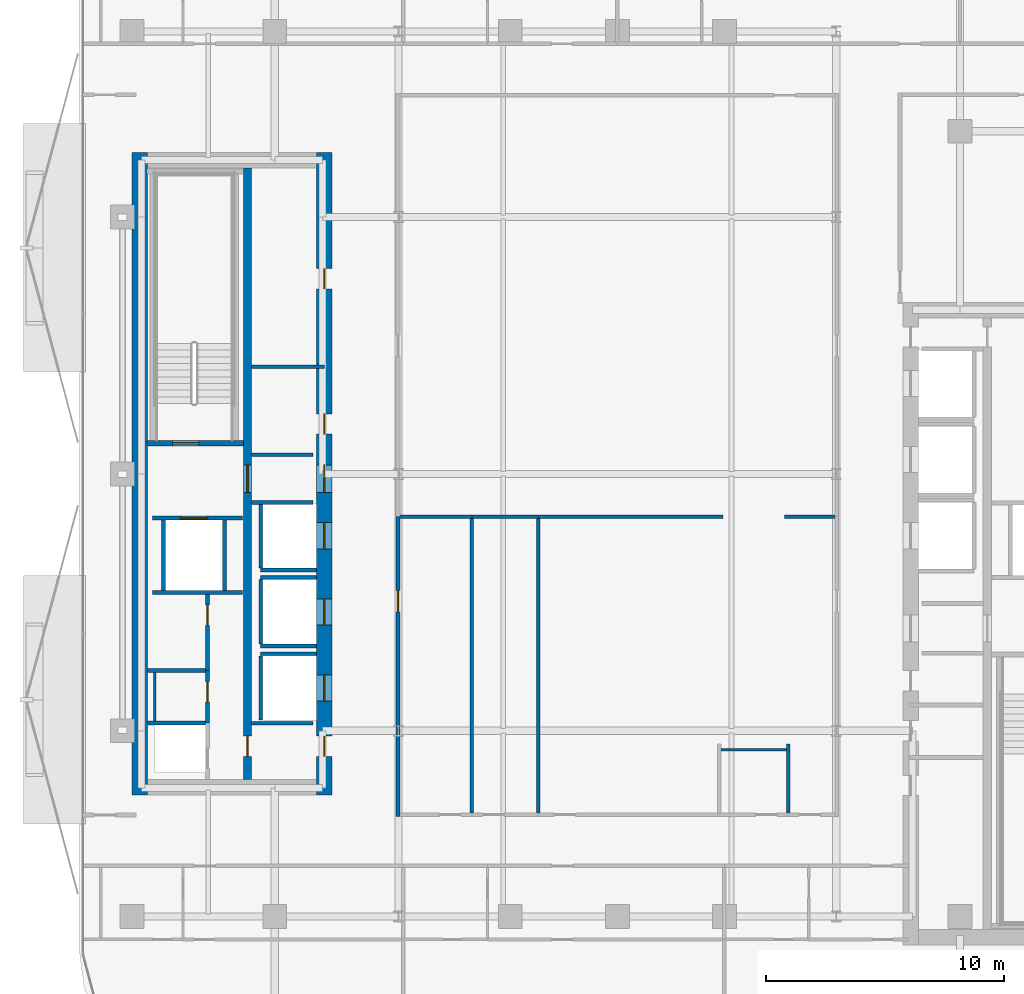
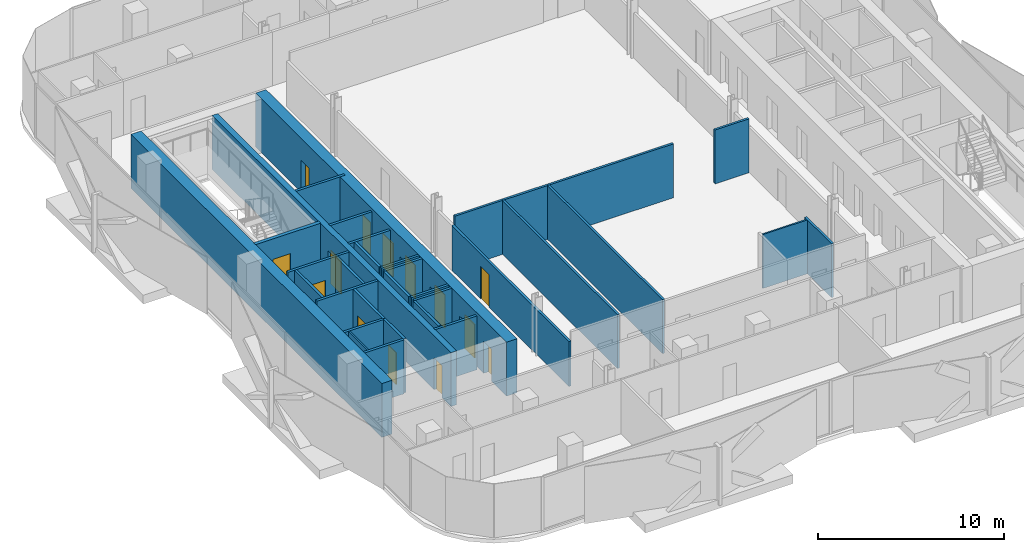
# One storey, part 4 of 17: 33 walls, 14 doors, 14 openings.
"""IFC4 building model written with IfcOpenShell, lengths in metres."""

from ifc_helpers import new_model, si_unit, direction, frame, frame_2d, origin, place, context, subcontext, project, spatial, rectangle, extrude, material, layer, layer_set, type_object, element, fill, save


model = new_model("IFC4")

# Units and contexts
model_context = context("Model", 3, precision=1e-05, world=origin(), true_north=direction((0.0, 1.0)))
body_context = subcontext(model_context, "Body", "Model", "MODEL_VIEW")
ifc_project = project(units=[si_unit("LENGTHUNIT", "METRE"), si_unit("AREAUNIT", "SQUARE_METRE"), si_unit("VOLUMEUNIT", "CUBIC_METRE"), si_unit("PLANEANGLEUNIT", "RADIAN"), si_unit("MASSUNIT", "GRAM", prefix="KILO")], contexts=[model_context])

# Site, building, storey
site_placement = place(None, origin())
site = spatial("IfcSite", under=ifc_project, at=site_placement, CompositionType="ELEMENT")
building_placement = place(site_placement, origin())
building = spatial("IfcBuilding", under=site, at=building_placement, Name="Khairoan Windgate Tower", CompositionType="ELEMENT")
storey_placement = place(building_placement, frame((0.0, 0.0, 199.199951171875)))
storey = spatial("IfcBuildingStorey", under=building, at=storey_placement, Name="L46", CompositionType="ELEMENT", Elevation=199.199951171875)

# Walls
ifc_material_1 = material(Name="Moisture-Resistant Gypsum Partition", Category="gypsum")
ifc_layer_1 = layer(ifc_material_1, 0.10009765625, Name="Moisture-Resistant Gypsum Partition")
ifc_layer_set_1 = layer_set([ifc_layer_1], Name="Moisture-Resistant Gypsum Partition")
wall_type_1 = type_object("IfcWallType", Name="Bathroom Wet-Area Partition Wall", PredefinedType="PARTITIONING", material=ifc_layer_set_1)
wall_1_placement = place(storey_placement, frame((-19.449951171875, -10.389892578125, 0.0), z_axis=(0.0, 0.0, 1.0), x_axis=(0.0, 1.0, 0.0)))
element("IfcWall", 1, at=wall_1_placement, inside=storey, type_object=wall_type_1, Name="L46 Wet Room Side Wall 082", PredefinedType="PARTITIONING", context=body_context, shape_type="SweptSolid", body=[
    extrude(rectangle(XDim=2.039794921875, YDim=0.10009765625, at=frame_2d((1.02001953125, 0.0))), origin(), (0.0, 0.0, 1.0), 3.5400390625),
])
wall_2_placement = place(storey_placement, frame((4.35009765625, -11.60009765625, 0.0), z_axis=(0.0, 0.0, 1.0), x_axis=(1.0, 0.0, 0.0)))
element("IfcWall", 2, at=wall_2_placement, inside=storey, type_object=wall_type_1, Name="L46 Wet Room Side Wall 084", PredefinedType="PARTITIONING", context=body_context, shape_type="SweptSolid", body=[
    extrude(rectangle(XDim=2.760009765625, YDim=0.10009765625, at=frame_2d((1.3798828125, 0.0))), origin(), (0.0, 0.0, 1.0), 3.5400390625),
])
ifc_material_2 = material(Name="Concrete C40/50", Category="concrete")
ifc_layer_2 = layer(ifc_material_2, 0.159912109375, Name="Concrete C40/50")
ifc_layer_set_2 = layer_set([ifc_layer_2], Name="Concrete C40/50")
wall_type_2 = type_object("IfcWallType", Name="Core and Hoistway Enclosure Wall", PredefinedType="STANDARD", material=ifc_layer_set_2)
wall_3_placement = place(storey_placement, frame((-14.989990234375, -4.0400390625, 0.0), z_axis=(0.0, 0.0, 1.0), x_axis=(1.0, 0.0, 0.0)))
element("IfcWall", 3, at=wall_3_placement, inside=storey, type_object=wall_type_2, Name="L46 Lift PL4 Hoistway Divider S", PredefinedType="STANDARD", context=body_context, shape_type="SweptSolid", body=[
    extrude(rectangle(XDim=2.340087890625, YDim=0.159912109375, at=frame_2d((1.169921875, 0.0))), origin(), (0.0, 0.0, 1.0), 3.5400390625),
])
wall_4_placement = place(storey_placement, frame((-14.989990234375, -3.949951171875, 0.0), z_axis=(0.0, 0.0, 1.0), x_axis=(0.0, 1.0, 0.0)))
element("IfcWall", 4, at=wall_4_placement, inside=storey, type_object=wall_type_2, Name="L46 Lift PL4 Hoistway Back Wall", PredefinedType="STANDARD", context=body_context, shape_type="SweptSolid", body=[
    extrude(rectangle(XDim=2.699951171875, YDim=0.159912109375, at=frame_2d((1.35009765625, 0.0))), origin(), (0.0, 0.0, 1.0), 3.5400390625),
])
for number, where, z_axis, x_axis, name in (
    (5, (-14.989990234375, -7.239990234375, 0.0), (0.0, 0.0, 1.0), (1.0, 0.0, 0.0), "L46 Lift PL5 Hoistway Divider S"),
    (6, (-14.989990234375, -4.360107421875, 0.0), (0.0, 0.0, 1.0), (1.0, 0.0, 0.0), "L46 Lift PL5 Hoistway Divider N"),
):
    element("IfcWall", number, at=place(storey_placement, frame(where, z_axis=z_axis, x_axis=x_axis)), inside=storey, type_object=wall_type_2, Name=name, PredefinedType="STANDARD", context=body_context, shape_type="SweptSolid", body=[
        extrude(rectangle(XDim=2.340087890625, YDim=0.159912109375, at=frame_2d((1.169921875, 0.0))), origin(), (0.0, 0.0, 1.0), 3.5400390625),
    ])
wall_5_placement = place(storey_placement, frame((-14.989990234375, -7.14990234375, 0.0), z_axis=(0.0, 0.0, 1.0), x_axis=(0.0, 1.0, 0.0)))
element("IfcWall", 7, at=wall_5_placement, inside=storey, type_object=wall_type_2, Name="L46 Lift PL5 Hoistway Back Wall", PredefinedType="STANDARD", context=body_context, shape_type="SweptSolid", body=[
    extrude(rectangle(XDim=2.699951171875, YDim=0.159912109375, at=frame_2d((1.35009765625, 0.0))), origin(), (0.0, 0.0, 1.0), 3.5400390625),
])
wall_6_placement = place(storey_placement, frame((-14.989990234375, -7.56005859375, 0.0), z_axis=(0.0, 0.0, 1.0), x_axis=(1.0, 0.0, 0.0)))
element("IfcWall", 8, at=wall_6_placement, inside=storey, type_object=wall_type_2, Name="L46 Lift PL6 Hoistway Divider N", PredefinedType="STANDARD", context=body_context, shape_type="SweptSolid", body=[
    extrude(rectangle(XDim=2.340087890625, YDim=0.159912109375, at=frame_2d((1.169921875, 0.0))), origin(), (0.0, 0.0, 1.0), 3.5400390625),
])
wall_7_placement = place(storey_placement, frame((-14.989990234375, -10.35009765625, 0.0), z_axis=(0.0, 0.0, 1.0), x_axis=(0.0, 1.0, 0.0)))
element("IfcWall", 9, at=wall_7_placement, inside=storey, type_object=wall_type_2, Name="L46 Lift PL6 Hoistway Back Wall", PredefinedType="STANDARD", context=body_context, shape_type="SweptSolid", body=[
    extrude(rectangle(XDim=2.7001953125, YDim=0.159912109375, at=frame_2d((1.35009765625, 0.0))), origin(), (0.0, 0.0, 1.0), 3.5400390625),
])

# Wall, opening, door
wall_8_placement = place(storey_placement, frame((-19.550048828125, -1.860107421875, 0.0), z_axis=(0.0, 0.0, 1.0), x_axis=(1.0, 0.0, 0.0)))
wall_8 = element("IfcWall", 10, at=wall_8_placement, inside=storey, type_object=wall_type_2, Name="L46 Core Shaft Wall SW-FL2-L46", PredefinedType="STANDARD", context=body_context, shape_type="SweptSolid", body=[
    extrude(rectangle(XDim=3.800048828125, YDim=0.159912109375, at=frame_2d((1.89990234375, 0.0))), origin(), (0.0, 0.0, 1.0), 3.5400390625),
])
opening_1_placement = place(wall_8_placement, frame((1.179931640625, 0.0, 0.0)))
opening_1 = element("IfcOpeningElement", 11, at=opening_1_placement, cuts=wall_8, Name="Opening LD-FL", PredefinedType="OPENING", context=body_context, shape_type="SweptSolid", body=[
    extrude(rectangle(XDim=1.14990234375, YDim=2.199951171875, at=frame_2d((0.574951171875, 1.10009765625))), frame((0.0, 0.08984375, 0.0), z_axis=(0.0, -1.0, 0.0), x_axis=(1.0, 0.0, 0.0)), (0.0, 0.0, 1.0), 0.179931640625),
])
ifc_material_3 = material(Name="Steel S355", Category="steel")
door_type_1 = type_object("IfcDoorType", Name="Firefighting Lift Sliding Landing Door LD-FL 1150x2200", OperationType="DOUBLE_DOOR_SLIDING", PredefinedType="DOOR", material=ifc_material_3)
door_1_placement = place(opening_1_placement, origin())
door_1 = element("IfcDoor", 12, at=door_1_placement, inside=storey, type_object=door_type_1, Name="L46 Firefighting Lift FL2 Landing Door", OperationType="DOUBLE_DOOR_SLIDING", OverallHeight=2.199951171875, OverallWidth=1.14990234375, PredefinedType="DOOR", context=body_context, shape_type="SweptSolid", body=[
    extrude(rectangle(XDim=1.14990234375, YDim=2.199951171875, at=frame_2d((0.574951171875, 1.10009765625))), frame((0.0, 0.02490234375, 0.0), z_axis=(0.0, -1.0, 0.0), x_axis=(1.0, 0.0, 0.0)), (0.0, 0.0, 1.0), 0.050048828125),
])
fill(opening_1, door_1)

# Walls
wall_9_placement = place(storey_placement, frame((-19.550048828125, -4.97998046875, 0.0), z_axis=(0.0, 0.0, 1.0), x_axis=(1.0, 0.0, 0.0)))
element("IfcWall", 13, at=wall_9_placement, inside=storey, type_object=wall_type_2, Name="L46 Core Shaft Wall SW-FL2B-L46", PredefinedType="STANDARD", context=body_context, shape_type="SweptSolid", body=[
    extrude(rectangle(XDim=3.800048828125, YDim=0.159912109375, at=frame_2d((1.89990234375, 0.0))), origin(), (0.0, 0.0, 1.0), 3.5400390625),
])
for number, where, z_axis, x_axis, name in (
    (14, (-19.080078125, -4.89990234375, 0.0), (0.0, 0.0, 1.0), (0.0, 1.0, 0.0), "L46 Core Shaft Wall SW-FL2W-L46"),
    (15, (-16.52001953125, -4.89990234375, 0.0), (0.0, 0.0, 1.0), (0.0, 1.0, 0.0), "L46 Core Shaft Wall SW-FL2E-L46"),
):
    element("IfcWall", number, at=place(storey_placement, frame(where, z_axis=z_axis, x_axis=x_axis)), inside=storey, type_object=wall_type_2, Name=name, PredefinedType="STANDARD", context=body_context, shape_type="SweptSolid", body=[
        extrude(rectangle(XDim=2.9599609375, YDim=0.159912109375, at=frame_2d((1.47998046875, 0.0))), origin(), (0.0, 0.0, 1.0), 3.5400390625),
    ])
for number, where, z_axis, x_axis, name in (
    (16, (-15.39990234375, 0.800048828125, 0.0), (0.0, 0.0, 1.0), (1.0, 0.0, 0.0), "L46 Core Shaft Wall SW-WV1-L46"),
    (17, (-15.39990234375, -1.199951171875, 0.0), (0.0, 0.0, 1.0), (1.0, 0.0, 0.0), "L46 Core Shaft Wall SW-WV2-L46"),
    (18, (-15.39990234375, -10.47998046875, 0.0), (0.0, 0.0, 1.0), (1.0, 0.0, 0.0), "L46 Core Shaft Wall SW-WSV-L46"),
):
    element("IfcWall", number, at=place(storey_placement, frame(where, z_axis=z_axis, x_axis=x_axis)), inside=storey, type_object=wall_type_2, Name=name, PredefinedType="STANDARD", context=body_context, shape_type="SweptSolid", body=[
        extrude(rectangle(XDim=2.599853515625, YDim=0.159912109375, at=frame_2d((1.2998046875, 0.0))), origin(), (0.0, 0.0, 1.0), 3.5400390625),
    ])
ifc_material_4 = material(Name="Acoustic Fire-Rated Gypsum Partition", Category="gypsum")
ifc_layer_3 = layer(ifc_material_4, 0.139892578125, Name="Acoustic Fire-Rated Gypsum Partition")
ifc_layer_set_3 = layer_set([ifc_layer_3], Name="Acoustic Fire-Rated Gypsum Partition")
wall_type_3 = type_object("IfcWallType", Name="Inter-Tenancy Compartment Wall", PredefinedType="PARTITIONING", material=ifc_layer_set_3)
wall_10_placement = place(storey_placement, frame((-6.1201171875, -14.2451171875, 0.0), z_axis=(0.0, 0.0, 1.0), x_axis=(0.0, 1.0, 0.0)))
element("IfcWall", 19, at=wall_10_placement, inside=storey, type_object=wall_type_3, Name="L46 Interior Partition 042", PredefinedType="PARTITIONING", context=body_context, shape_type="SweptSolid", body=[
    extrude(rectangle(XDim=12.375, YDim=0.139892578125, at=frame_2d((6.1875, 0.0))), origin(), (0.0, 0.0, 1.0), 3.5400390625),
])
wall_11_placement = place(storey_placement, frame((-9.14501953125, -1.800048828125, 0.0), z_axis=(0.0, 0.0, 1.0), x_axis=(1.0, 0.0, 0.0)))
element("IfcWall", 20, at=wall_11_placement, inside=storey, type_object=wall_type_3, Name="L46 Interior Partition 043", PredefinedType="PARTITIONING", context=body_context, shape_type="SweptSolid", body=[
    extrude(rectangle(XDim=3.02490234375, YDim=0.139892578125, at=frame_2d((1.512451171875, 0.0))), origin(), (0.0, 0.0, 1.0), 3.5400390625),
])
wall_12_placement = place(storey_placement, frame((-3.320068359375, -14.2451171875, 0.0), z_axis=(0.0, 0.0, 1.0), x_axis=(0.0, 1.0, 0.0)))
element("IfcWall", 21, at=wall_12_placement, inside=storey, type_object=wall_type_3, Name="L46 Interior Partition 044", PredefinedType="PARTITIONING", context=body_context, shape_type="SweptSolid", body=[
    extrude(rectangle(XDim=12.375, YDim=0.139892578125, at=frame_2d((6.1875, 0.0))), origin(), (0.0, 0.0, 1.0), 3.5400390625),
])
wall_13_placement = place(storey_placement, frame((-6.1201171875, -1.800048828125, 0.0), z_axis=(0.0, 0.0, 1.0), x_axis=(1.0, 0.0, 0.0)))
element("IfcWall", 22, at=wall_13_placement, inside=storey, type_object=wall_type_3, Name="L46 Interior Partition 045", PredefinedType="PARTITIONING", context=body_context, shape_type="SweptSolid", body=[
    extrude(rectangle(XDim=2.800048828125, YDim=0.139892578125, at=frame_2d((1.39990234375, 0.0))), origin(), (0.0, 0.0, 1.0), 3.5400390625),
])
wall_14_placement = place(storey_placement, frame((-3.320068359375, -1.800048828125, 0.0), z_axis=(0.0, 0.0, 1.0), x_axis=(1.0, 0.0, 0.0)))
element("IfcWall", 23, at=wall_14_placement, inside=storey, type_object=wall_type_3, Name="L46 Interior Partition 047", PredefinedType="PARTITIONING", context=body_context, shape_type="SweptSolid", body=[
    extrude(rectangle(XDim=7.760009765625, YDim=0.139892578125, at=frame_2d((3.8798828125, 0.0))), origin(), (0.0, 0.0, 1.0), 3.5400390625),
])
wall_15_placement = place(storey_placement, frame((7.179931640625, -14.2451171875, 0.0), z_axis=(0.0, 0.0, 1.0), x_axis=(0.0, 1.0, 0.0)))
element("IfcWall", 24, at=wall_15_placement, inside=storey, type_object=wall_type_3, Name="L46 Interior Partition 048", PredefinedType="PARTITIONING", context=body_context, shape_type="SweptSolid", body=[
    extrude(rectangle(XDim=2.885009765625, YDim=0.139892578125, at=frame_2d((1.4423828125, 0.0))), origin(), (0.0, 0.0, 1.0), 3.5400390625),
])
wall_16_placement = place(storey_placement, frame((7.02001953125, -1.800048828125, 0.0), z_axis=(0.0, 0.0, 1.0), x_axis=(1.0, 0.0, 0.0)))
element("IfcWall", 25, at=wall_16_placement, inside=storey, type_object=wall_type_3, Name="L46 Interior Partition 049", PredefinedType="PARTITIONING", context=body_context, shape_type="SweptSolid", body=[
    extrude(rectangle(XDim=2.125, YDim=0.139892578125, at=frame_2d((1.0625, 0.0))), origin(), (0.0, 0.0, 1.0), 3.5400390625),
])

# Wall, opening, door
ifc_material_5 = material(Name="Concrete C40/50", Category="concrete")
ifc_layer_4 = layer(ifc_material_5, 0.159912109375, Name="Concrete C40/50")
ifc_layer_set_4 = layer_set([ifc_layer_4], Name="Concrete C40/50")
wall_type_4 = type_object("IfcWallType", Name="Plant and Refuge Compartment Wall", PredefinedType="PARTITIONING", material=ifc_layer_set_4)
wall_17_placement = place(storey_placement, frame((-17.22998046875, -10.469970703125, 0.0), z_axis=(0.0, 0.0, 1.0), x_axis=(0.0, 1.0, 0.0)))
wall_17 = element("IfcWall", 26, at=wall_17_placement, inside=storey, type_object=wall_type_4, Name="L46 Interior Partition 002", PredefinedType="PARTITIONING", context=body_context, shape_type="SweptSolid", body=[
    extrude(rectangle(XDim=2.199951171875, YDim=0.159912109375, at=frame_2d((1.10009765625, 0.0))), origin(), (0.0, 0.0, 1.0), 3.5400390625),
])
opening_2_placement = place(wall_17_placement, frame((0.889892578125, 0.0, 0.0)))
opening_2 = element("IfcOpeningElement", 27, at=opening_2_placement, cuts=wall_17, Name="Opening FD-SRV", PredefinedType="OPENING", context=body_context, shape_type="SweptSolid", body=[
    extrude(rectangle(XDim=0.85009765625, YDim=2.10009765625, at=frame_2d((0.425048828125, 1.050048828125))), frame((0.0, 0.08984375, 0.0), z_axis=(0.0, -1.0, 0.0), x_axis=(1.0, 0.0, 0.0)), (0.0, 0.0, 1.0), 0.179931640625),
])
ifc_material_6 = material(Name="Steel S355", Category="steel")
door_type_2 = type_object("IfcDoorType", Name="Core Service and Riser Fire Door FD-SRV 850x2100", OperationType="NOTDEFINED", PredefinedType="DOOR", material=ifc_material_6)
door_2_placement = place(opening_2_placement, origin())
door_2 = element("IfcDoor", 28, at=door_2_placement, inside=storey, type_object=door_type_2, Name="L46 L46-04-L46-06 Door", OperationType="SINGLE_SWING_LEFT", OverallHeight=2.10009765625, OverallWidth=0.85009765625, PredefinedType="DOOR", context=body_context, shape_type="SweptSolid", body=[
    extrude(rectangle(XDim=0.85009765625, YDim=2.10009765625, at=frame_2d((0.425048828125, 1.050048828125))), frame((0.0, 0.02490234375, 0.0), z_axis=(0.0, -1.0, 0.0), x_axis=(1.0, 0.0, 0.0)), (0.0, 0.0, 1.0), 0.050048828125),
])
fill(opening_2, door_2)

wall_18_placement = place(storey_placement, frame((-17.22998046875, -8.27001953125, 0.0), z_axis=(0.0, 0.0, 1.0), x_axis=(0.0, 1.0, 0.0)))
wall_18 = element("IfcWall", 29, at=wall_18_placement, inside=storey, type_object=wall_type_4, Name="L46 Interior Partition 003", PredefinedType="PARTITIONING", context=body_context, shape_type="SweptSolid", body=[
    extrude(rectangle(XDim=3.2099609375, YDim=0.159912109375, at=frame_2d((1.60498046875, 0.0))), origin(), (0.0, 0.0, 1.0), 3.5400390625),
])
opening_3_placement = place(wall_18_placement, frame((1.89990234375, 0.0, 0.0)))
opening_3 = element("IfcOpeningElement", 30, at=opening_3_placement, cuts=wall_18, Name="Opening FD-SRV", PredefinedType="OPENING", context=body_context, shape_type="SweptSolid", body=[
    extrude(rectangle(XDim=0.85009765625, YDim=2.10009765625, at=frame_2d((0.425048828125, 1.050048828125))), frame((0.0, 0.08984375, 0.0), z_axis=(0.0, -1.0, 0.0), x_axis=(1.0, 0.0, 0.0)), (0.0, 0.0, 1.0), 0.179931640625),
])
door_3_placement = place(opening_3_placement, origin())
door_3 = element("IfcDoor", 31, at=door_3_placement, inside=storey, type_object=door_type_2, Name="L46 L46-04-L46-07 Door", OperationType="SINGLE_SWING_RIGHT", OverallHeight=2.10009765625, OverallWidth=0.85009765625, PredefinedType="DOOR", context=body_context, shape_type="SweptSolid", body=[
    extrude(rectangle(XDim=0.85009765625, YDim=2.10009765625, at=frame_2d((0.425048828125, 1.050048828125))), frame((0.0, 0.02490234375, 0.0), z_axis=(0.0, -1.0, 0.0), x_axis=(1.0, 0.0, 0.0)), (0.0, 0.0, 1.0), 0.050048828125),
])
fill(opening_3, door_3)

# Walls
for number, where, z_axis, x_axis, name in (
    (32, (-19.75, -10.469970703125, 0.0), (0.0, 0.0, 1.0), (1.0, 0.0, 0.0), "L46 Interior Partition 004"),
    (33, (-19.75, -8.27001953125, 0.0), (0.0, 0.0, 1.0), (1.0, 0.0, 0.0), "L46 Interior Partition 005"),
):
    element("IfcWall", number, at=place(storey_placement, frame(where, z_axis=z_axis, x_axis=x_axis)), inside=storey, type_object=wall_type_4, Name=name, PredefinedType="PARTITIONING", context=body_context, shape_type="SweptSolid", body=[
        extrude(rectangle(XDim=2.43994140625, YDim=0.159912109375, at=frame_2d((1.219970703125, 0.0))), origin(), (0.0, 0.0, 1.0), 3.5400390625),
    ])
wall_19_placement = place(storey_placement, frame((-15.375, 4.5, 0.0), z_axis=(0.0, 0.0, 1.0), x_axis=(1.0, 0.0, 0.0)))
element("IfcWall", 34, at=wall_19_placement, inside=storey, type_object=wall_type_4, Name="L46 Interior Partition 006", PredefinedType="PARTITIONING", context=body_context, shape_type="SweptSolid", body=[
    extrude(rectangle(XDim=3.06494140625, YDim=0.159912109375, at=frame_2d((1.532470703125, 0.0))), origin(), (0.0, 0.0, 1.0), 3.5400390625),
])

# Wall, opening, door
ifc_material_7 = material(Name="Acoustic Fire-Rated Gypsum Partition", Category="gypsum")
ifc_layer_5 = layer(ifc_material_7, 0.14990234375, Name="Acoustic Fire-Rated Gypsum Partition")
ifc_layer_set_5 = layer_set([ifc_layer_5], Name="Acoustic Fire-Rated Gypsum Partition")
wall_type_5 = type_object("IfcWallType", Name="Rated Corridor Partition Wall", PredefinedType="PARTITIONING", material=ifc_layer_set_5)
wall_20_placement = place(storey_placement, frame((-9.219970703125, -14.39501953125, 0.0), z_axis=(0.0, 0.0, 1.0), x_axis=(0.0, 1.0, 0.0)))
wall_20 = element("IfcWall", 35, at=wall_20_placement, inside=storey, type_object=wall_type_5, Name="L46 Interior Partition 014", PredefinedType="PARTITIONING", context=body_context, shape_type="SweptSolid", body=[
    extrude(rectangle(XDim=12.594970703125, YDim=0.14990234375, at=frame_2d((6.29736328125, 0.0))), origin(), (0.0, 0.0, 1.0), 2.9521484375),
])
opening_4_placement = place(wall_20_placement, frame((8.592041015625, 0.0, 0.0)))
opening_4 = element("IfcOpeningElement", 36, at=opening_4_placement, cuts=wall_20, Name="Opening FD-ENT", PredefinedType="OPENING", context=body_context, shape_type="SweptSolid", body=[
    extrude(rectangle(XDim=0.89990234375, YDim=2.14990234375, at=frame_2d((0.449951171875, 1.074951171875))), frame((0.0, 0.0849609375, 0.0), z_axis=(0.0, -1.0, 0.0), x_axis=(1.0, 0.0, 0.0)), (0.0, 0.0, 1.0), 0.169921875),
])
ifc_material_8 = material(Name="Timber Fire-Rated Core", Category="wood")
door_type_3 = type_object("IfcDoorType", Name="Unit and Office Fire Entrance Door FD-ENT 900x2150", OperationType="NOTDEFINED", PredefinedType="DOOR", material=ifc_material_8)
door_4_placement = place(opening_4_placement, origin())
door_4 = element("IfcDoor", 37, at=door_4_placement, inside=storey, type_object=door_type_3, Name="L46 L46-30-L46-34 Door", OperationType="SINGLE_SWING_RIGHT", OverallHeight=2.14990234375, OverallWidth=0.89990234375, PredefinedType="DOOR", context=body_context, shape_type="SweptSolid", body=[
    extrude(rectangle(XDim=0.89990234375, YDim=2.14990234375, at=frame_2d((0.449951171875, 1.074951171875))), frame((0.0, 0.02490234375, 0.0), z_axis=(0.0, -1.0, 0.0), x_axis=(1.0, 0.0, 0.0)), (0.0, 0.0, 1.0), 0.050048828125),
])
fill(opening_4, door_4)

# Wall
ifc_material_9 = material(Name="Concrete C60/75", Category="concrete")
ifc_layer_6 = layer(ifc_material_9, 0.64990234375, Name="Concrete C60/75")
ifc_layer_set_6 = layer_set([ifc_layer_6], Name="Concrete C60/75")
wall_type_6 = type_object("IfcWallType", Name="Shear Wall CW-W2 650mm", PredefinedType="SHEAR", material=ifc_layer_set_6)
wall_21_placement = place(storey_placement, frame((-20.074951171875, -13.5, 0.0), z_axis=(0.0, 0.0, 1.0), x_axis=(0.0, 1.0, 0.0)))
element("IfcWall", 38, at=wall_21_placement, inside=storey, type_object=wall_type_6, Name="W Core West Shear Wall L46", PredefinedType="SHEAR", context=body_context, shape_type="SweptSolid", body=[
    extrude(rectangle(XDim=27.0, YDim=0.64990234375, at=frame_2d((13.5, 0.0))), origin(), (0.0, 0.0, 1.0), 3.5400390625),
])

# Wall, openings, doors
wall_22_placement = place(storey_placement, frame((-12.324951171875, -13.5, 0.0), z_axis=(0.0, 0.0, 1.0), x_axis=(0.0, 1.0, 0.0)))
wall_22 = element("IfcWall", 39, at=wall_22_placement, inside=storey, type_object=wall_type_6, Name="W Core East Shear Wall L46", PredefinedType="SHEAR", context=body_context, shape_type="SweptSolid", body=[
    extrude(rectangle(XDim=27.0, YDim=0.64990234375, at=frame_2d((13.5, 0.0))), origin(), (0.0, 0.0, 1.0), 3.5400390625),
])
opening_5_placement = place(wall_22_placement, frame((10.35009765625, 0.0, 0.0)))
opening_5 = element("IfcOpeningElement", 40, at=opening_5_placement, cuts=wall_22, Name="Opening LD-PL", PredefinedType="OPENING", context=body_context, shape_type="SweptSolid", body=[
    extrude(rectangle(XDim=1.10009765625, YDim=2.199951171875, at=frame_2d((0.550048828125, 1.10009765625))), frame((0.0, 0.3349609375, 0.0), z_axis=(0.0, -1.0, 0.0), x_axis=(1.0, 0.0, 0.0)), (0.0, 0.0, 1.0), 0.669921875),
])
opening_6_placement = place(wall_22_placement, frame((7.14990234375, 0.0, 0.0)))
opening_6 = element("IfcOpeningElement", 41, at=opening_6_placement, cuts=wall_22, Name="Opening LD-PL", PredefinedType="OPENING", context=body_context, shape_type="SweptSolid", body=[
    extrude(rectangle(XDim=1.10009765625, YDim=2.199951171875, at=frame_2d((0.550048828125, 1.10009765625))), frame((0.0, 0.3349609375, 0.0), z_axis=(0.0, -1.0, 0.0), x_axis=(1.0, 0.0, 0.0)), (0.0, 0.0, 1.0), 0.669921875),
])
opening_7_placement = place(wall_22_placement, frame((3.949951171875, 0.0, 0.0)))
opening_7 = element("IfcOpeningElement", 42, at=opening_7_placement, cuts=wall_22, Name="Opening LD-PL", PredefinedType="OPENING", context=body_context, shape_type="SweptSolid", body=[
    extrude(rectangle(XDim=1.10009765625, YDim=2.199951171875, at=frame_2d((0.550048828125, 1.10009765625))), frame((0.0, 0.3349609375, 0.0), z_axis=(0.0, -1.0, 0.0), x_axis=(1.0, 0.0, 0.0)), (0.0, 0.0, 1.0), 0.669921875),
])
opening_8_placement = place(wall_22_placement, frame((15.175048828125, 0.0, 0.0)))
opening_8 = element("IfcOpeningElement", 43, at=opening_8_placement, cuts=wall_22, Name="Opening FD-SRV", PredefinedType="OPENING", context=body_context, shape_type="SweptSolid", body=[
    extrude(rectangle(XDim=0.85009765625, YDim=2.10009765625, at=frame_2d((0.425048828125, 1.050048828125))), frame((0.0, 0.3349609375, 0.0), z_axis=(0.0, -1.0, 0.0), x_axis=(1.0, 0.0, 0.0)), (0.0, 0.0, 1.0), 0.669921875),
])
opening_9_placement = place(wall_22_placement, frame((21.27490234375, 0.0, 0.0)))
opening_9 = element("IfcOpeningElement", 44, at=opening_9_placement, cuts=wall_22, Name="Opening FD-SRV", PredefinedType="OPENING", context=body_context, shape_type="SweptSolid", body=[
    extrude(rectangle(XDim=0.85009765625, YDim=2.10009765625, at=frame_2d((0.425048828125, 1.050048828125))), frame((0.0, 0.3349609375, 0.0), z_axis=(0.0, -1.0, 0.0), x_axis=(1.0, 0.0, 0.0)), (0.0, 0.0, 1.0), 0.669921875),
])
opening_10_placement = place(wall_22_placement, frame((12.72509765625, 0.0, 0.0)))
opening_10 = element("IfcOpeningElement", 45, at=opening_10_placement, cuts=wall_22, Name="Opening FD-FFL", PredefinedType="OPENING", context=body_context, shape_type="SweptSolid", body=[
    extrude(rectangle(XDim=1.14990234375, YDim=2.199951171875, at=frame_2d((0.574951171875, 1.10009765625))), frame((0.0, 0.3349609375, 0.0), z_axis=(0.0, -1.0, 0.0), x_axis=(1.0, 0.0, 0.0)), (0.0, 0.0, 1.0), 0.669921875),
])
opening_11_placement = place(wall_22_placement, frame((1.625, 0.0, 0.0)))
opening_11 = element("IfcOpeningElement", 46, at=opening_11_placement, cuts=wall_22, Name="Opening FD-SRV", PredefinedType="OPENING", context=body_context, shape_type="SweptSolid", body=[
    extrude(rectangle(XDim=0.85009765625, YDim=2.10009765625, at=frame_2d((0.425048828125, 1.050048828125))), frame((0.0, 0.3349609375, 0.0), z_axis=(0.0, -1.0, 0.0), x_axis=(1.0, 0.0, 0.0)), (0.0, 0.0, 1.0), 0.669921875),
])
door_5_placement = place(opening_8_placement, origin())
door_5 = element("IfcDoor", 47, at=door_5_placement, inside=storey, type_object=door_type_2, Name="L46 Upper Core Room Door B1-1", OperationType="SINGLE_SWING_LEFT", OverallHeight=2.10009765625, OverallWidth=0.85009765625, PredefinedType="DOOR", context=body_context, shape_type="SweptSolid", body=[
    extrude(rectangle(XDim=0.85009765625, YDim=2.10009765625, at=frame_2d((0.425048828125, 1.050048828125))), frame((0.0, 0.02490234375, 0.0), z_axis=(0.0, -1.0, 0.0), x_axis=(1.0, 0.0, 0.0)), (0.0, 0.0, 1.0), 0.050048828125),
])
fill(opening_8, door_5)
door_6_placement = place(opening_9_placement, origin())
door_6 = element("IfcDoor", 48, at=door_6_placement, inside=storey, type_object=door_type_2, Name="L46 Upper Core Room Door B1-2", OperationType="SINGLE_SWING_RIGHT", OverallHeight=2.10009765625, OverallWidth=0.85009765625, PredefinedType="DOOR", context=body_context, shape_type="SweptSolid", body=[
    extrude(rectangle(XDim=0.85009765625, YDim=2.10009765625, at=frame_2d((0.425048828125, 1.050048828125))), frame((0.0, 0.02490234375, 0.0), z_axis=(0.0, -1.0, 0.0), x_axis=(1.0, 0.0, 0.0)), (0.0, 0.0, 1.0), 0.050048828125),
])
fill(opening_9, door_6)
door_7_placement = place(opening_11_placement, origin())
door_7 = element("IfcDoor", 49, at=door_7_placement, inside=storey, type_object=door_type_2, Name="L46 West Core Service Vestibule Outer Door", OperationType="SINGLE_SWING_RIGHT", OverallHeight=2.10009765625, OverallWidth=0.85009765625, PredefinedType="DOOR", context=body_context, shape_type="SweptSolid", body=[
    extrude(rectangle(XDim=0.85009765625, YDim=2.10009765625, at=frame_2d((0.425048828125, 1.050048828125))), frame((0.0, 0.02490234375, 0.0), z_axis=(0.0, -1.0, 0.0), x_axis=(1.0, 0.0, 0.0)), (0.0, 0.0, 1.0), 0.050048828125),
])
fill(opening_11, door_7)
ifc_material_10 = material(Name="Steel S355", Category="steel")
door_type_4 = type_object("IfcDoorType", Name="Firefighting Lobby Fire Door FD-FFL 1150x2200", OperationType="NOTDEFINED", PredefinedType="DOOR", material=ifc_material_10)
door_8_placement = place(opening_10_placement, origin())
door_8 = element("IfcDoor", 50, at=door_8_placement, inside=storey, type_object=door_type_4, Name="L46 West Core Vestibule Entry Door", OperationType="SINGLE_SWING_RIGHT", OverallHeight=2.199951171875, OverallWidth=1.14990234375, PredefinedType="DOOR", context=body_context, shape_type="SweptSolid", body=[
    extrude(rectangle(XDim=1.14990234375, YDim=2.199951171875, at=frame_2d((0.574951171875, 1.10009765625))), frame((0.0, 0.02490234375, 0.0), z_axis=(0.0, -1.0, 0.0), x_axis=(1.0, 0.0, 0.0)), (0.0, 0.0, 1.0), 0.050048828125),
])
fill(opening_10, door_8)
ifc_material_11 = material(Name="Anodised Bronze Aluminium 6063-T6", Category="aluminium")
door_type_5 = type_object("IfcDoorType", Name="Passenger Lift Sliding Landing Door LD-PL 1100x2200", OperationType="DOUBLE_DOOR_SLIDING", PredefinedType="DOOR", material=ifc_material_11)
door_9_placement = place(opening_5_placement, origin())
door_9 = element("IfcDoor", 51, at=door_9_placement, inside=storey, type_object=door_type_5, Name="L46 Lift PL4 Sliding Landing Door", OperationType="DOUBLE_DOOR_SLIDING", OverallHeight=2.199951171875, OverallWidth=1.10009765625, PredefinedType="DOOR", context=body_context, shape_type="SweptSolid", body=[
    extrude(rectangle(XDim=1.10009765625, YDim=2.199951171875, at=frame_2d((0.550048828125, 1.10009765625))), frame((0.0, 0.02490234375, 0.0), z_axis=(0.0, -1.0, 0.0), x_axis=(1.0, 0.0, 0.0)), (0.0, 0.0, 1.0), 0.050048828125),
])
fill(opening_5, door_9)
door_10_placement = place(opening_6_placement, origin())
door_10 = element("IfcDoor", 52, at=door_10_placement, inside=storey, type_object=door_type_5, Name="L46 Lift PL5 Sliding Landing Door", OperationType="DOUBLE_DOOR_SLIDING", OverallHeight=2.199951171875, OverallWidth=1.10009765625, PredefinedType="DOOR", context=body_context, shape_type="SweptSolid", body=[
    extrude(rectangle(XDim=1.10009765625, YDim=2.199951171875, at=frame_2d((0.550048828125, 1.10009765625))), frame((0.0, 0.02490234375, 0.0), z_axis=(0.0, -1.0, 0.0), x_axis=(1.0, 0.0, 0.0)), (0.0, 0.0, 1.0), 0.050048828125),
])
fill(opening_6, door_10)
door_11_placement = place(opening_7_placement, origin())
door_11 = element("IfcDoor", 53, at=door_11_placement, inside=storey, type_object=door_type_5, Name="L46 Lift PL6 Sliding Landing Door", OperationType="DOUBLE_DOOR_SLIDING", OverallHeight=2.199951171875, OverallWidth=1.10009765625, PredefinedType="DOOR", context=body_context, shape_type="SweptSolid", body=[
    extrude(rectangle(XDim=1.10009765625, YDim=2.199951171875, at=frame_2d((0.550048828125, 1.10009765625))), frame((0.0, 0.02490234375, 0.0), z_axis=(0.0, -1.0, 0.0), x_axis=(1.0, 0.0, 0.0)), (0.0, 0.0, 1.0), 0.050048828125),
])
fill(opening_7, door_11)

ifc_material_12 = material(Name="Concrete C60/75", Category="concrete")
ifc_layer_7 = layer(ifc_material_12, 0.35009765625, Name="Concrete C60/75")
ifc_layer_set_7 = layer_set([ifc_layer_7], Name="Concrete C60/75")
wall_type_7 = type_object("IfcWallType", Name="Shear Wall SW-1 350mm", PredefinedType="SHEAR", material=ifc_layer_set_7)
wall_23_placement = place(storey_placement, frame((-15.550048828125, -12.85009765625, 0.0), z_axis=(0.0, 0.0, 1.0), x_axis=(0.0, 1.0, 0.0)))
wall_23 = element("IfcWall", 54, at=wall_23_placement, inside=storey, type_object=wall_type_7, Name="W Core Spine Shear Wall L46", PredefinedType="SHEAR", context=body_context, shape_type="SweptSolid", body=[
    extrude(rectangle(XDim=25.7001953125, YDim=0.35009765625, at=frame_2d((12.85009765625, 0.0))), origin(), (0.0, 0.0, 1.0), 3.5400390625),
])
opening_12_placement = place(wall_23_placement, frame((12.074951171875, 0.0, 0.0)))
opening_12 = element("IfcOpeningElement", 55, at=opening_12_placement, cuts=wall_23, Name="Opening FD-FFL", PredefinedType="OPENING", context=body_context, shape_type="SweptSolid", body=[
    extrude(rectangle(XDim=1.14990234375, YDim=2.199951171875, at=frame_2d((0.574951171875, 1.10009765625))), frame((0.0, 0.18505859375, 0.0), z_axis=(0.0, -1.0, 0.0), x_axis=(1.0, 0.0, 0.0)), (0.0, 0.0, 1.0), 0.3701171875),
])
opening_13_placement = place(wall_23_placement, frame((0.97509765625, 0.0, 0.0)))
opening_13 = element("IfcOpeningElement", 56, at=opening_13_placement, cuts=wall_23, Name="Opening FD-SRV", PredefinedType="OPENING", context=body_context, shape_type="SweptSolid", body=[
    extrude(rectangle(XDim=0.85009765625, YDim=2.10009765625, at=frame_2d((0.425048828125, 1.050048828125))), frame((0.0, 0.18505859375, 0.0), z_axis=(0.0, -1.0, 0.0), x_axis=(1.0, 0.0, 0.0)), (0.0, 0.0, 1.0), 0.3701171875),
])
door_12_placement = place(opening_13_placement, origin())
door_12 = element("IfcDoor", 57, at=door_12_placement, inside=storey, type_object=door_type_2, Name="L46 West Core Service Passage Inner Door", OperationType="SINGLE_SWING_LEFT", OverallHeight=2.10009765625, OverallWidth=0.85009765625, PredefinedType="DOOR", context=body_context, shape_type="SweptSolid", body=[
    extrude(rectangle(XDim=0.85009765625, YDim=2.10009765625, at=frame_2d((0.425048828125, 1.050048828125))), frame((0.0, 0.02490234375, 0.0), z_axis=(0.0, -1.0, 0.0), x_axis=(1.0, 0.0, 0.0)), (0.0, 0.0, 1.0), 0.050048828125),
])
fill(opening_13, door_12)
door_13_placement = place(opening_12_placement, origin())
door_13 = element("IfcDoor", 58, at=door_13_placement, inside=storey, type_object=door_type_4, Name="L46 West Firefighting Lobby Fire Door", OperationType="SINGLE_SWING_LEFT", OverallHeight=2.199951171875, OverallWidth=1.14990234375, PredefinedType="DOOR", context=body_context, shape_type="SweptSolid", body=[
    extrude(rectangle(XDim=1.14990234375, YDim=2.199951171875, at=frame_2d((0.574951171875, 1.10009765625))), frame((0.0, 0.02490234375, 0.0), z_axis=(0.0, -1.0, 0.0), x_axis=(1.0, 0.0, 0.0)), (0.0, 0.0, 1.0), 0.050048828125),
])
fill(opening_12, door_13)

# Wall, opening, door
ifc_material_13 = material(Name="Concrete C50/60", Category="concrete")
ifc_layer_8 = layer(ifc_material_13, 0.219970703125, Name="Concrete C50/60")
ifc_layer_set_8 = layer_set([ifc_layer_8], Name="Concrete C50/60")
wall_type_8 = type_object("IfcWallType", Name="Shear Wall SW-ST 220mm", PredefinedType="SHEAR", material=ifc_layer_set_8)
wall_24_placement = place(storey_placement, frame((-19.77001953125, 1.2900390625, 0.0), z_axis=(0.0, 0.0, 1.0), x_axis=(1.0, 0.0, 0.0)))
wall_24 = element("IfcWall", 59, at=wall_24_placement, inside=storey, type_object=wall_type_8, Name="L46 Stair ST2 South Bearing Wall", PredefinedType="SHEAR", context=body_context, shape_type="SweptSolid", body=[
    extrude(rectangle(XDim=4.06494140625, YDim=0.219970703125, at=frame_2d((2.032470703125, 0.0))), origin(), (0.0, 0.0, 1.0), 3.5400390625),
])
opening_14_placement = place(wall_24_placement, frame((1.080078125, 0.0, 0.0)))
opening_14 = element("IfcOpeningElement", 60, at=opening_14_placement, cuts=wall_24, Name="Opening FD-ST", PredefinedType="OPENING", context=body_context, shape_type="SweptSolid", body=[
    extrude(rectangle(XDim=1.10009765625, YDim=2.199951171875, at=frame_2d((0.550048828125, 1.10009765625))), frame((0.0, 0.119873046875, 0.0), z_axis=(0.0, -1.0, 0.0), x_axis=(1.0, 0.0, 0.0)), (0.0, 0.0, 1.0), 0.239990234375),
])
ifc_material_14 = material(Name="Steel S355", Category="steel")
door_type_6 = type_object("IfcDoorType", Name="Smokeproof Stair Fire Door FD-ST 1100x2200", OperationType="NOTDEFINED", PredefinedType="DOOR", material=ifc_material_14)
door_14_placement = place(opening_14_placement, origin())
door_14 = element("IfcDoor", 61, at=door_14_placement, inside=storey, type_object=door_type_6, Name="L46 Stair ST2 Fire Door", OperationType="SINGLE_SWING_RIGHT", OverallHeight=2.199951171875, OverallWidth=1.10009765625, PredefinedType="DOOR", context=body_context, shape_type="SweptSolid", body=[
    extrude(rectangle(XDim=1.10009765625, YDim=2.199951171875, at=frame_2d((0.550048828125, 1.10009765625))), frame((0.0, 0.02490234375, 0.0), z_axis=(0.0, -1.0, 0.0), x_axis=(1.0, 0.0, 0.0)), (0.0, 0.0, 1.0), 0.050048828125),
])
fill(opening_14, door_14)

save(model, "model.ifc")
